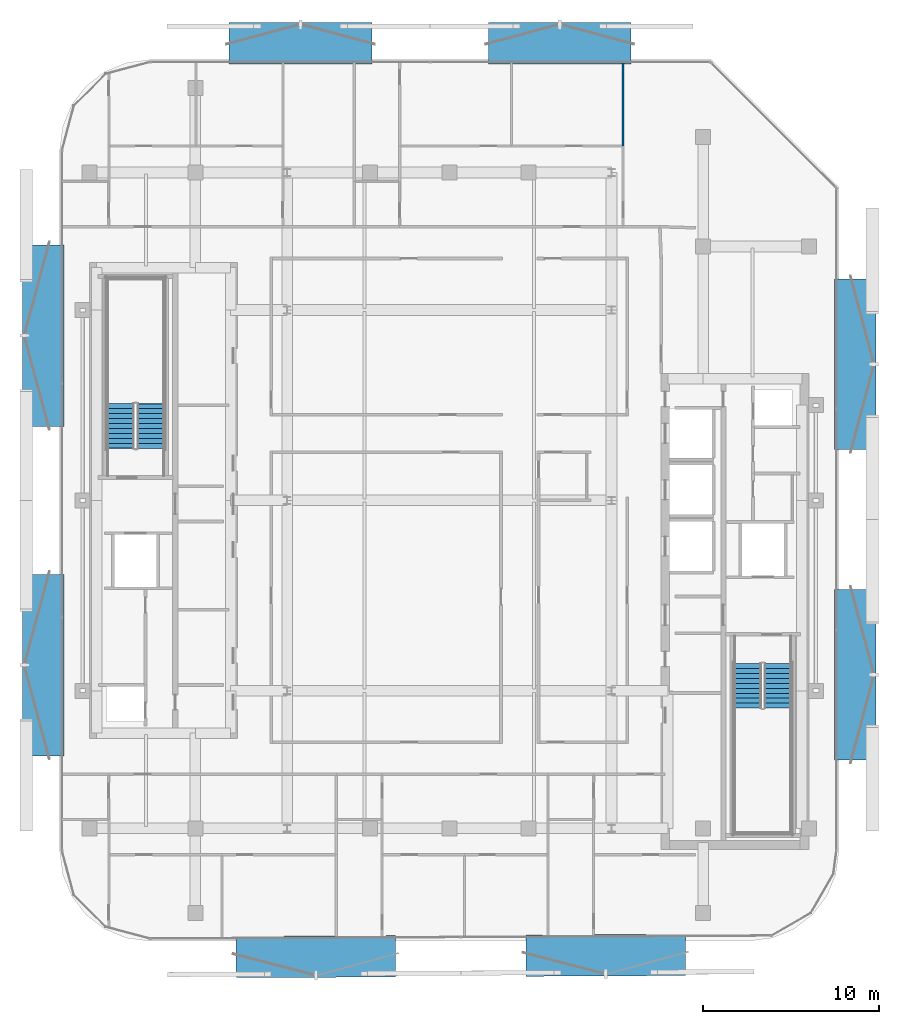
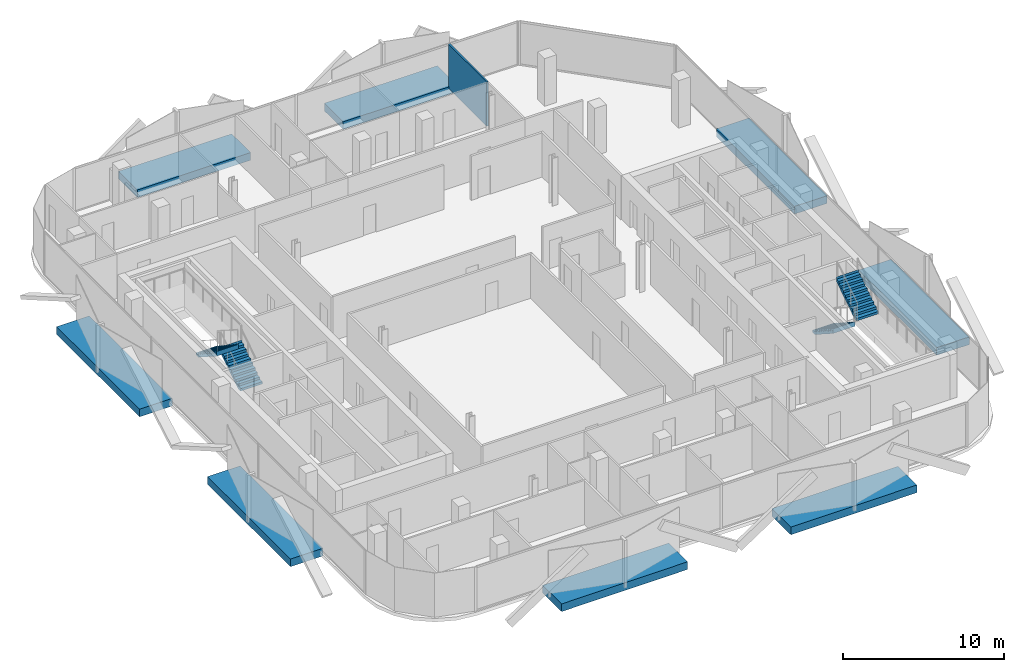
# One storey, part 7 of 15: 8 discrete accessories, 4 stair flights, 1 wall, 2 elements without a shape of their own.
"""IFC4 building model written with IfcOpenShell, lengths in metres."""

from ifc_helpers import new_model, si_unit, direction, frame, frame_2d, origin, origin_2d, place, context, subcontext, project, spatial, polyline, rectangle, outline, extrude, material, layer, layer_set, type_object, element, aggregate, save


model = new_model("IFC4")

# Units and contexts
model_context = context("Model", 3, precision=1e-05, world=origin(), true_north=direction((0.0, 1.0)))
body_context = subcontext(model_context, "Body", "Model", "MODEL_VIEW")
ifc_project = project(units=[si_unit("LENGTHUNIT", "METRE"), si_unit("AREAUNIT", "SQUARE_METRE"), si_unit("VOLUMEUNIT", "CUBIC_METRE"), si_unit("PLANEANGLEUNIT", "RADIAN"), si_unit("MASSUNIT", "GRAM", prefix="KILO")], contexts=[model_context])

# Site, building, storey
site_placement = place(None, origin())
site = spatial("IfcSite", under=ifc_project, at=site_placement, CompositionType="ELEMENT")
building_placement = place(site_placement, origin())
building = spatial("IfcBuilding", under=site, at=building_placement, Name="Khairoan Windgate Tower", CompositionType="ELEMENT")
storey_placement = place(building_placement, frame((0.0, 0.0, 254.800048828125)))
storey = spatial("IfcBuildingStorey", under=building, at=storey_placement, Name="L60", CompositionType="ELEMENT", Elevation=254.800048828125)

# Wall
ifc_material_1 = material(Name="Gypsum Stud Partition", Category="gypsum")
ifc_layer_1 = layer(ifc_material_1, 0.1201171875, Name="Gypsum Stud Partition")
ifc_layer_set_1 = layer_set([ifc_layer_1], Name="Gypsum Stud Partition")
wall_type = type_object("IfcWallType", Name="Internal Room Partition Wall", PredefinedType="PARTITIONING", material=ifc_layer_set_1)
wall_placement = place(storey_placement, frame((9.860107421875, 20.10009765625, 0.0), z_axis=(0.0, 0.0, 1.0), x_axis=(0.0, 1.0, 0.0)))
element("IfcWall", 1, at=wall_placement, inside=storey, type_object=wall_type, Name="L60 Interior Partition 059", PredefinedType="PARTITIONING", context=body_context, shape_type="SweptSolid", body=[
    extrude(rectangle(XDim=4.7548828125, YDim=0.1201171875, at=frame_2d((2.37744140625, 0.0))), origin(), (0.0, 0.0, 1.0), 3.33984375),
])

# Stair, stair flights
ifc_material_2 = material(Name="Concrete C40/50", Category="concrete")
stair_type = type_object("IfcStairType", Name="Tower Core Dog-Leg Stair ST-T1 1560mm", PredefinedType="HALF_TURN_STAIR", material=ifc_material_2)
stair_1_placement = place(storey_placement, origin())
stair_1 = element("IfcStair", 2, at=stair_1_placement, inside=storey, type_object=stair_type, Name="L60 Stair ST1", PredefinedType="HALF_TURN_STAIR")
ifc_material_3 = material(Name="Concrete C40/50", Category="concrete")
ifc_layer_2 = layer(ifc_material_3, 0.14990234375, Name="Concrete C40/50")
ifc_layer_set_2 = layer_set([ifc_layer_2], Name="Concrete C40/50")
stair_flight_type = type_object("IfcStairFlightType", Name="Tower Core Stair Flight STF-1560", PredefinedType="STRAIGHT", material=ifc_layer_set_2)
stair_flight_1_placement = place(storey_placement, frame((16.929931640625, -9.260009765625, 0.0), z_axis=(0.0, 0.0, 1.0), x_axis=(0.0, -1.0, 0.0)))
stair_flight_1 = element("IfcStairFlight", 3, at=stair_flight_1_placement, type_object=stair_flight_type, Name="ST1 flight 1", NumberOfRisers=10, NumberOfTreads=9, PredefinedType="STRAIGHT", RiserHeight=0.18, TreadLength=0.28, context=body_context, shape_type="SweptSolid", body=[
    extrude(outline(polyline([(-0.00390625, 0.0), (-0.00390625, 0.179931640625), (0.0, 0.179931640625), (0.280029296875, 0.179931640625), (0.280029296875, 0.360107421875), (0.56005859375, 0.360107421875), (0.56005859375, 0.5400390625), (0.840087890625, 0.5400390625), (0.840087890625, 0.719970703125), (1.1201171875, 0.719970703125), (1.1201171875, 0.89990234375), (1.39990234375, 0.89990234375), (1.39990234375, 1.080078125), (1.679931640625, 1.080078125), (1.679931640625, 1.260009765625), (1.9599609375, 1.260009765625), (1.9599609375, 1.43994140625), (2.239990234375, 1.43994140625), (2.239990234375, 1.6201171875), (2.52001953125, 1.6201171875), (2.52001953125, 1.800048828125), (2.52392578125, 1.800048828125), (2.52392578125, 1.44189453125), (0.277099609375, 0.0), (-0.00390625, 0.0)])), frame((0.0, 0.780029296875, 0.0), z_axis=(0.0, -1.0, 0.0), x_axis=(1.0, 0.0, 0.0)), (0.0, 0.0, 1.0), 1.56005859375),
])
stair_flight_2_placement = place(storey_placement, frame((18.639892578125, -11.780029296875, 1.800048828125), z_axis=(0.0, 0.0, 1.0), x_axis=(0.0, 1.0, 0.0)))
stair_flight_2 = element("IfcStairFlight", 4, at=stair_flight_2_placement, type_object=stair_flight_type, Name="ST1 flight 2", NumberOfRisers=10, NumberOfTreads=9, PredefinedType="STRAIGHT", RiserHeight=0.18, TreadLength=0.28, context=body_context, shape_type="SweptSolid", body=[
    extrude(outline(polyline([(-0.00390625, 0.0), (-0.00390625, 0.179931640625), (0.0, 0.179931640625), (0.280029296875, 0.179931640625), (0.280029296875, 0.360107421875), (0.56005859375, 0.360107421875), (0.56005859375, 0.5400390625), (0.840087890625, 0.5400390625), (0.840087890625, 0.719970703125), (1.1201171875, 0.719970703125), (1.1201171875, 0.89990234375), (1.39990234375, 0.89990234375), (1.39990234375, 1.080078125), (1.679931640625, 1.080078125), (1.679931640625, 1.260009765625), (1.9599609375, 1.260009765625), (1.9599609375, 1.43994140625), (2.239990234375, 1.43994140625), (2.239990234375, 1.6201171875), (2.52001953125, 1.6201171875), (2.52001953125, 1.800048828125), (2.52392578125, 1.800048828125), (2.52392578125, 1.44189453125), (0.277099609375, 0.0), (-0.00390625, 0.0)])), frame((0.0, 0.780029296875, 0.0), z_axis=(0.0, -1.0, 0.0), x_axis=(1.0, 0.0, 0.0)), (0.0, 0.0, 1.0), 1.56005859375),
])
aggregate(stair_1, [stair_flight_1, stair_flight_2])

stair_2_placement = place(storey_placement, origin())
stair_2 = element("IfcStair", 5, at=stair_2_placement, inside=storey, type_object=stair_type, Name="L60 Stair ST2", PredefinedType="HALF_TURN_STAIR")
stair_flight_3_placement = place(storey_placement, frame((-16.929931640625, 2.9599609375, 0.0), z_axis=(0.0, 0.0, 1.0), x_axis=(0.0, 1.0, 0.0)))
stair_flight_3 = element("IfcStairFlight", 6, at=stair_flight_3_placement, type_object=stair_flight_type, Name="ST2 flight 1", NumberOfRisers=10, NumberOfTreads=9, PredefinedType="STRAIGHT", RiserHeight=0.18, TreadLength=0.28, context=body_context, shape_type="SweptSolid", body=[
    extrude(outline(polyline([(-0.00390625, 0.0), (-0.00390625, 0.179931640625), (0.0, 0.179931640625), (0.280029296875, 0.179931640625), (0.280029296875, 0.360107421875), (0.56005859375, 0.360107421875), (0.56005859375, 0.5400390625), (0.840087890625, 0.5400390625), (0.840087890625, 0.719970703125), (1.1201171875, 0.719970703125), (1.1201171875, 0.89990234375), (1.39990234375, 0.89990234375), (1.39990234375, 1.080078125), (1.679931640625, 1.080078125), (1.679931640625, 1.260009765625), (1.9599609375, 1.260009765625), (1.9599609375, 1.43994140625), (2.239990234375, 1.43994140625), (2.239990234375, 1.6201171875), (2.52001953125, 1.6201171875), (2.52001953125, 1.800048828125), (2.52392578125, 1.800048828125), (2.52392578125, 1.44189453125), (0.277099609375, 0.0), (-0.00390625, 0.0)])), frame((0.0, 0.780029296875, 0.0), z_axis=(0.0, -1.0, 0.0), x_axis=(1.0, 0.0, 0.0)), (0.0, 0.0, 1.0), 1.56005859375),
])
stair_flight_4_placement = place(storey_placement, frame((-18.639892578125, 5.47998046875, 1.800048828125), z_axis=(0.0, 0.0, 1.0), x_axis=(0.0, -1.0, 0.0)))
stair_flight_4 = element("IfcStairFlight", 7, at=stair_flight_4_placement, type_object=stair_flight_type, Name="ST2 flight 2", NumberOfRisers=10, NumberOfTreads=9, PredefinedType="STRAIGHT", RiserHeight=0.18, TreadLength=0.28, context=body_context, shape_type="SweptSolid", body=[
    extrude(outline(polyline([(-0.00390625, 0.0), (-0.00390625, 0.179931640625), (0.0, 0.179931640625), (0.280029296875, 0.179931640625), (0.280029296875, 0.360107421875), (0.56005859375, 0.360107421875), (0.56005859375, 0.5400390625), (0.840087890625, 0.5400390625), (0.840087890625, 0.719970703125), (1.1201171875, 0.719970703125), (1.1201171875, 0.89990234375), (1.39990234375, 0.89990234375), (1.39990234375, 1.080078125), (1.679931640625, 1.080078125), (1.679931640625, 1.260009765625), (1.9599609375, 1.260009765625), (1.9599609375, 1.43994140625), (2.239990234375, 1.43994140625), (2.239990234375, 1.6201171875), (2.52001953125, 1.6201171875), (2.52001953125, 1.800048828125), (2.52392578125, 1.800048828125), (2.52392578125, 1.44189453125), (0.277099609375, 0.0), (-0.00390625, 0.0)])), frame((0.0, 0.780029296875, 0.0), z_axis=(0.0, -1.0, 0.0), x_axis=(1.0, 0.0, 0.0)), (0.0, 0.0, 1.0), 1.56005859375),
])
aggregate(stair_2, [stair_flight_3, stair_flight_4])

# Discrete accessories
ifc_material_4 = material(Name="Steel S355", Category="steel")
discrete_accessory_type = type_object("IfcDiscreteAccessoryType", Name="Solar Screen Outrigger Slab Bracket SSB-1", PredefinedType="BRACKET", material=ifc_material_4)
for number, where, z_axis, x_axis, name in (
    (8, (8.8701171875, -25.80517578125, -0.420166015625), (0.0, 0.0, 1.0), (-0.999988059021, -0.004886902454, 0.0), "L60 Solar Screen Outrigger Bracket 409"),
    (9, (-7.567138671875, -25.884521484375, -0.420166015625), (0.0, 0.0, 1.0), (-0.999988059021, -0.004886902454, 0.0), "L60 Solar Screen Outrigger Bracket 410"),
):
    element("IfcDiscreteAccessory", number, at=place(storey_placement, frame(where, z_axis=z_axis, x_axis=x_axis)), inside=storey, type_object=discrete_accessory_type, Name=name, PredefinedType="BRACKET", context=body_context, shape_type="SweptSolid", body=[
        extrude(rectangle(XDim=9.041015625, YDim=2.340087890625, at=origin_2d()), origin(), (0.0, 0.0, 1.0), 0.580078125),
    ])
for number, where, z_axis, x_axis, name in (
    (10, (-23.030029296875, -9.345458984375, -0.420166015625), (0.0, 0.0, 1.0), (0.0, 1.0, 0.0), "L60 Solar Screen Outrigger Bracket 411"),
    (11, (-23.030029296875, 9.345458984375, -0.420166015625), (0.0, 0.0, 1.0), (0.0, 1.0, 0.0), "L60 Solar Screen Outrigger Bracket 412"),
):
    element("IfcDiscreteAccessory", number, at=place(storey_placement, frame(where, z_axis=z_axis, x_axis=x_axis)), inside=storey, type_object=discrete_accessory_type, Name=name, PredefinedType="BRACKET", context=body_context, shape_type="SweptSolid", body=[
        extrude(rectangle(XDim=10.280029296875, YDim=2.340087890625, at=origin_2d()), origin(), (0.0, 0.0, 1.0), 0.580078125),
    ])
for number, where, z_axis, x_axis, name in (
    (12, (-8.4375, 25.929931640625, -0.420166015625), (0.0, 0.0, 1.0), (1.0, 0.0, 0.0), "L60 Solar Screen Outrigger Bracket 413"),
    (13, (6.268798828125, 25.929931640625, -0.420166015625), (0.0, 0.0, 1.0), (1.0, 0.0, 0.0), "L60 Solar Screen Outrigger Bracket 414"),
):
    element("IfcDiscreteAccessory", number, at=place(storey_placement, frame(where, z_axis=z_axis, x_axis=x_axis)), inside=storey, type_object=discrete_accessory_type, Name=name, PredefinedType="BRACKET", context=body_context, shape_type="SweptSolid", body=[
        extrude(rectangle(XDim=8.089111328125, YDim=2.340087890625, at=origin_2d()), origin(), (0.0, 0.0, 1.0), 0.580078125),
    ])
for number, where, z_axis, x_axis, name in (
    (14, (23.030029296875, 7.71875, -0.420166015625), (0.0, 0.0, 1.0), (0.0, -1.0, 0.0), "L60 Solar Screen Outrigger Bracket 415"),
    (15, (23.030029296875, -9.8876953125, -0.420166015625), (0.0, 0.0, 1.0), (0.0, -1.0, 0.0), "L60 Solar Screen Outrigger Bracket 416"),
):
    element("IfcDiscreteAccessory", number, at=place(storey_placement, frame(where, z_axis=z_axis, x_axis=x_axis)), inside=storey, type_object=discrete_accessory_type, Name=name, PredefinedType="BRACKET", context=body_context, shape_type="SweptSolid", body=[
        extrude(rectangle(XDim=9.68408203125, YDim=2.340087890625, at=origin_2d()), origin(), (0.0, 0.0, 1.0), 0.580078125),
    ])

save(model, "model.ifc")
